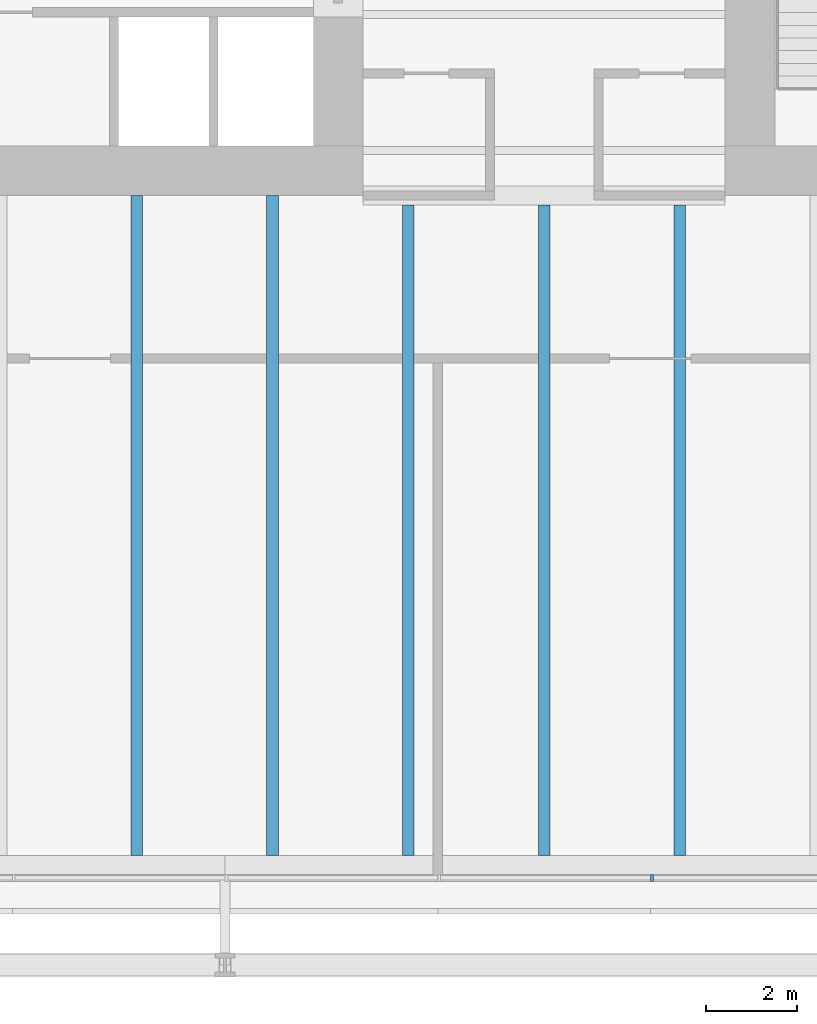
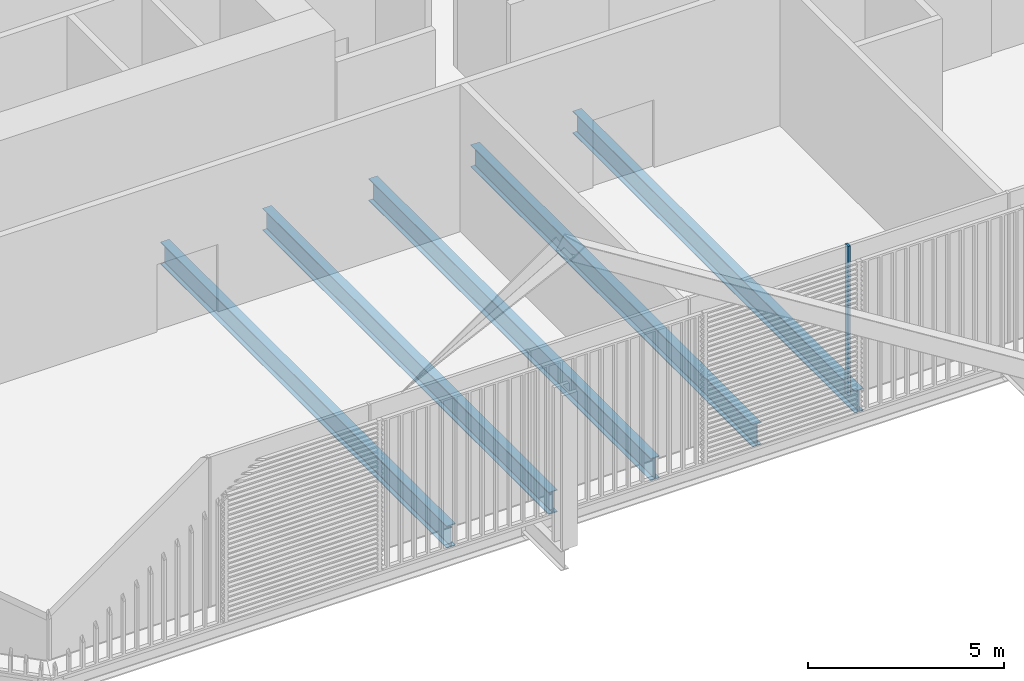
# One storey, part 4 of 22: 5 beams, 1 member, 1 element without a shape of its own.
"""IFC4 building model written with IfcOpenShell, lengths in metres."""

from ifc_helpers import new_model, si_unit, direction, frame, origin, origin_2d, place, context, subcontext, project, spatial, rectangle, i_section, extrude, material, layer, layer_set, material_profile, profile_set, type_object, element, aggregate, save


model = new_model("IFC4")

# Units and contexts
model_context = context("Model", 3, precision=1e-05, world=origin(), true_north=direction((0.0, 1.0)))
body_context = subcontext(model_context, "Body", "Model", "MODEL_VIEW")
ifc_project = project(units=[si_unit("LENGTHUNIT", "METRE"), si_unit("AREAUNIT", "SQUARE_METRE"), si_unit("VOLUMEUNIT", "CUBIC_METRE"), si_unit("PLANEANGLEUNIT", "RADIAN"), si_unit("MASSUNIT", "GRAM", prefix="KILO")], contexts=[model_context])

# Site, building, storey
site_placement = place(None, origin())
site = spatial("IfcSite", under=ifc_project, at=site_placement, CompositionType="ELEMENT")
building_placement = place(site_placement, origin())
building = spatial("IfcBuilding", under=site, at=building_placement, Name="Millrace Tower", CompositionType="ELEMENT")
storey_placement = place(building_placement, frame((0.0, 0.0, 44.89990234375)))
storey = spatial("IfcBuildingStorey", under=building, at=storey_placement, Name="L10", CompositionType="ELEMENT", Elevation=44.89990234375)

# Curtain wall, member
ifc_material_1 = material(Name="Aluminium and glass", Category="aluminium")
ifc_layer = layer(ifc_material_1, 0.14990234375)
ifc_layer_set = layer_set([ifc_layer], Name="Aluminium and glass")
curtain_wall_type = type_object("IfcCurtainWallType", Name="CW-2 data hall insulated curtain wall", PredefinedType="NOTDEFINED", material=ifc_layer_set)
curtain_wall_placement = place(storey_placement, origin())
curtain_wall = element("IfcCurtainWall", 1, at=curtain_wall_placement, inside=storey, type_object=curtain_wall_type, Name="Curtain wall A-F02 L10", PredefinedType="NOTDEFINED")
ifc_material_2 = material(Name="Aluminium", Category="aluminium")
ifc_material_profile_1 = material_profile(ifc_material_2, rectangle(XDim=0.06494140625, YDim=0.14990234375, at=origin_2d()))
ifc_profile_set_1 = profile_set([ifc_material_profile_1], Name="Aluminium")
member_type = type_object("IfcMemberType", Name="CW-2 data hall insulated curtain wall mullion", PredefinedType="MULLION", material=ifc_profile_set_1)
member_placement = place(storey_placement, frame((2.382568359375, -25.074951171875, 0.16015625), z_axis=(0.0, 0.0, 1.0), x_axis=(1.0, 0.0, 0.0)))
member = element("IfcMember", 2, at=member_placement, type_object=member_type, Name="CW2 mullion A-F02.6", PredefinedType="MULLION", context=body_context, shape_type="SweptSolid", body=[
    extrude(rectangle(XDim=0.06494140625, YDim=0.14990234375, at=origin_2d()), origin(), (0.0, 0.0, 1.0), 4.639892578125),
])
aggregate(curtain_wall, [member])

# Beams
ifc_material_3 = material(Name="Steel ASTM A992 Grade 50", Category="steel")
ifc_material_profile_2 = material_profile(ifc_material_3, i_section(OverallWidth=0.256591796875, OverallDepth=0.693359375, WebThickness=0.014404296875, FlangeThickness=0.023681640625, FilletRadius=0.01513671875, at=origin_2d()))
ifc_profile_set_2 = profile_set([ifc_material_profile_2], Name="Steel ASTM A992 Grade 50")
beam_type = type_object("IfcBeamType", Name="Floor beam W27x114", PredefinedType="JOIST", material=ifc_profile_set_2)
for number, where, z_axis, x_axis, name in (
    (3, (-9.0, -24.578369140625, -0.571533203125), (0.0, 1.0, 0.0), (-1.0, 0.0, 0.0), "BM-A-L10-S1-S045"),
    (4, (-6.0, -24.578369140625, -0.571533203125), (0.0, 1.0, 0.0), (-1.0, 0.0, 0.0), "BM-A-L10-S1-S047"),
):
    element("IfcBeam", number, at=place(storey_placement, frame(where, z_axis=z_axis, x_axis=x_axis)), inside=storey, type_object=beam_type, Name=name, PredefinedType="JOIST", context=body_context, shape_type="SweptSolid", body=[
        extrude(i_section(OverallWidth=0.256591796875, OverallDepth=0.693359375, WebThickness=0.014404296875, FlangeThickness=0.023681640625, FilletRadius=0.01513671875, at=origin_2d()), origin(), (0.0, 0.0, 1.0), 14.578369140625),
    ])
for number, where, z_axis, x_axis, name in (
    (5, (-3.0, -24.578369140625, -0.571533203125), (0.0, 1.0, 0.0), (-1.0, 0.0, 0.0), "BM-A-L10-S1-S049"),
    (6, (0.0, -24.578369140625, -0.571533203125), (0.0, 1.0, 0.0), (-1.0, 0.0, 0.0), "BM-A-L10-S1-S051"),
    (7, (3.0, -24.578369140625, -0.571533203125), (0.0, 1.0, 0.0), (-1.0, 0.0, 0.0), "BM-A-L10-S1-S053"),
):
    element("IfcBeam", number, at=place(storey_placement, frame(where, z_axis=z_axis, x_axis=x_axis)), inside=storey, type_object=beam_type, Name=name, PredefinedType="JOIST", context=body_context, shape_type="SweptSolid", body=[
        extrude(i_section(OverallWidth=0.256591796875, OverallDepth=0.693359375, WebThickness=0.014404296875, FlangeThickness=0.023681640625, FilletRadius=0.01513671875, at=origin_2d()), origin(), (0.0, 0.0, 1.0), 14.3662109375),
    ])

save(model, "model.ifc")
